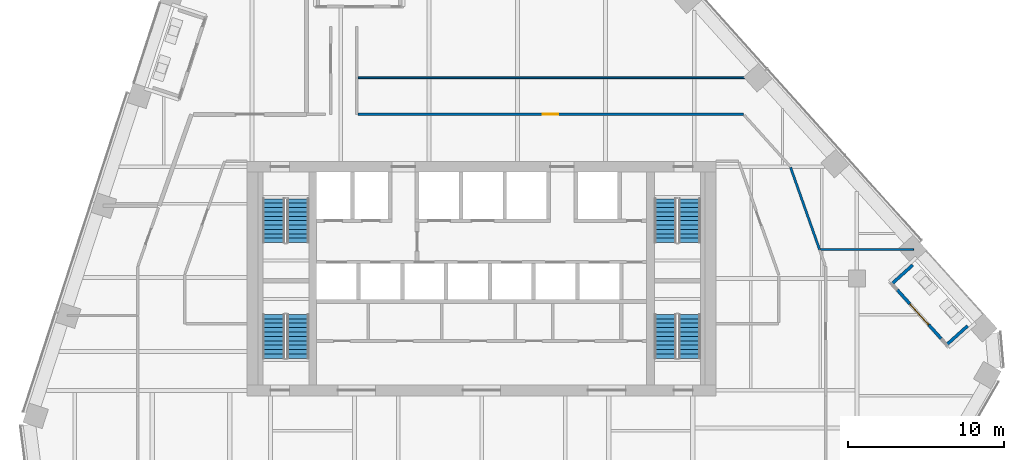
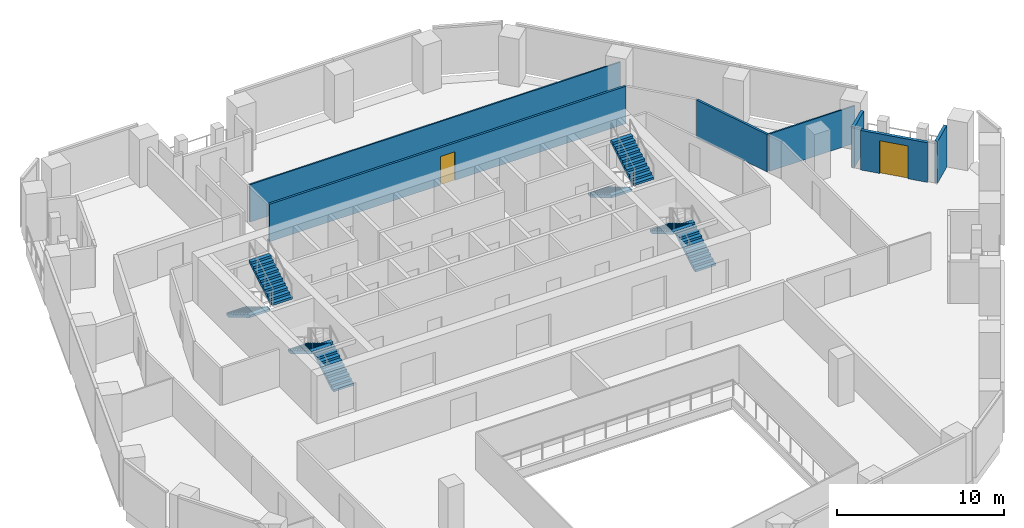
# One storey, part 22 of 26: 8 stair flights, 7 walls, 2 doors, 2 openings, 4 elements without a shape of their own.
"""IFC4 building model written with IfcOpenShell, lengths in metres."""

from ifc_helpers import new_model, si_unit, direction, frame, frame_2d, origin, place, context, subcontext, project, spatial, polyline, rectangle, outline, extrude, material, layer, layer_set, type_object, element, fill, aggregate, save


model = new_model("IFC4")

# Units and contexts
model_context = context("Model", 3, precision=1e-05, world=origin(), true_north=direction((0.0, 1.0)))
body_context = subcontext(model_context, "Body", "Model", "MODEL_VIEW")
ifc_project = project(units=[si_unit("LENGTHUNIT", "METRE"), si_unit("AREAUNIT", "SQUARE_METRE"), si_unit("VOLUMEUNIT", "CUBIC_METRE"), si_unit("PLANEANGLEUNIT", "RADIAN"), si_unit("MASSUNIT", "GRAM", prefix="KILO")], contexts=[model_context])

# Site, building, storey
site_placement = place(None, origin())
site = spatial("IfcSite", under=ifc_project, at=site_placement, CompositionType="ELEMENT")
building_placement = place(site_placement, origin())
building = spatial("IfcBuilding", under=site, at=building_placement, Name="Isthmus Gate Tower", CompositionType="ELEMENT")
storey_placement = place(building_placement, frame((0.0, 0.0, 189.050048828125)))
storey = spatial("IfcBuildingStorey", under=building, at=storey_placement, Name="L47", CompositionType="ELEMENT", Elevation=189.050048828125)

# Wall, opening, door
ifc_material_1 = material(Name="Gypsum board on steel studs, fire-rated", Category="steel")
ifc_layer_1 = layer(ifc_material_1, 0.14990234375)
ifc_layer_set_1 = layer_set([ifc_layer_1], Name="CORRIDOR WALL 150 60 MIN")
wall_type_1 = type_object("IfcWallType", Name="CORRIDOR WALL 150 60 MIN", PredefinedType="PARTITIONING", material=ifc_layer_set_1)
wall_1_placement = place(storey_placement, frame((-7.925048828125, 18.0, 0.0), z_axis=(0.0, 0.0, 1.0), x_axis=(1.0, 0.0, 0.0)))
wall_1 = element("IfcWall", 1, at=wall_1_placement, inside=storey, type_object=wall_type_1, Name="L47 Corridor Wall 150 60 Min", PredefinedType="PARTITIONING", context=body_context, shape_type="SweptSolid", body=[
    extrude(rectangle(XDim=24.670166015625, YDim=0.14990234375, at=frame_2d((12.3349609375, 0.0))), origin(), (0.0, 0.0, 1.0), 2.7412109375),
])
opening_1_placement = place(wall_1_placement, frame((11.8349609375, 0.0, 0.0)))
opening_1 = element("IfcOpeningElement", 2, at=opening_1_placement, cuts=wall_1, Name="Opening DT-T4B-03", PredefinedType="OPENING", context=body_context, shape_type="SweptSolid", body=[
    extrude(rectangle(XDim=1.0, YDim=2.10009765625, at=frame_2d((0.5, 1.050048828125))), frame((0.0, 0.0849609375, 0.0), z_axis=(0.0, -1.0, 0.0), x_axis=(1.0, 0.0, 0.0)), (0.0, 0.0, 1.0), 0.169921875),
])
ifc_material_2 = material(Name="Solid core timber door leaf, fire-rated", Category="wood")
door_type_1 = type_object("IfcDoorType", Name="FIRE DOOR ROOM 1000 X 2100 60 MIN", OperationType="SINGLE_SWING_LEFT", PredefinedType="DOOR", material=ifc_material_2)
door_1_placement = place(opening_1_placement, origin())
door_1 = element("IfcDoor", 3, at=door_1_placement, inside=storey, type_object=door_type_1, Name="L47 room door", OperationType="SINGLE_SWING_RIGHT", OverallHeight=2.10009765625, OverallWidth=1.0, PredefinedType="DOOR", context=body_context, shape_type="SweptSolid", body=[
    extrude(rectangle(XDim=1.0, YDim=2.10009765625, at=frame_2d((0.5, 1.050048828125))), frame((0.0, 0.02490234375, 0.0), z_axis=(0.0, -1.0, 0.0), x_axis=(1.0, 0.0, 0.0)), (0.0, 0.0, 1.0), 0.050048828125),
])
fill(opening_1, door_1)

# Wall
wall_2_placement = place(storey_placement, frame((19.757080078125, 14.611328125, 0.0), z_axis=(0.0, 0.0, 1.0), x_axis=(0.332898037941, -0.942962828713, 0.0)))
element("IfcWall", 4, at=wall_2_placement, inside=storey, type_object=wall_type_1, Name="L47 Corridor Wall 150 60 Min", PredefinedType="PARTITIONING", context=body_context, shape_type="SweptSolid", body=[
    extrude(rectangle(XDim=5.572265625, YDim=0.14990234375, at=frame_2d((2.7861328125, 0.0))), origin(), (0.0, 0.0, 1.0), 2.7412109375),
])

# Wall, opening, door
ifc_material_3 = material(Name="Precast concrete C40/50", Category="concrete")
ifc_layer_2 = layer(ifc_material_3, 0.199951171875)
ifc_layer_set_2 = layer_set([ifc_layer_2], Name="LOGGIA WALL 200")
wall_type_2 = type_object("IfcWallType", Name="LOGGIA WALL 200", PredefinedType="SOLIDWALL", material=ifc_layer_set_2)
wall_3_placement = place(storey_placement, frame((29.394775390625, 3.65185546875, 0.0), z_axis=(0.0, 0.0, 1.0), x_axis=(-0.669141337337, 0.743135163121, 0.0)))
wall_3 = element("IfcWall", 5, at=wall_3_placement, inside=storey, type_object=wall_type_2, Name="LOGGIA BACK WALL", PredefinedType="SOLIDWALL", context=body_context, shape_type="SweptSolid", body=[
    extrude(rectangle(XDim=4.2001953125, YDim=0.199951171875, at=frame_2d((2.10009765625, 0.0))), origin(), (0.0, 0.0, 1.0), 2.89990234375),
])
opening_2_placement = place(wall_3_placement, frame((1.199951171875, 0.0, 0.0)))
opening_2 = element("IfcOpeningElement", 6, at=opening_2_placement, cuts=wall_3, Name="Opening DE47-05", PredefinedType="OPENING", context=body_context, shape_type="SweptSolid", body=[
    extrude(rectangle(XDim=1.800048828125, YDim=2.39990234375, at=frame_2d((0.89990234375, 1.199951171875))), frame((0.0, 0.10986328125, 0.0), z_axis=(0.0, -1.0, 0.0), x_axis=(1.0, 0.0, 0.0)), (0.0, 0.0, 1.0), 0.219970703125),
])
ifc_material_4 = material(Name="Aluminium, pale champagne anodised, laminated glass", Category="aluminium")
door_type_2 = type_object("IfcDoorType", Name="LOGGIA DOOR SLIDING 1800 X 2400", OperationType="DOUBLE_DOOR_SLIDING", PredefinedType="DOOR", material=ifc_material_4)
door_2_placement = place(opening_2_placement, origin())
door_2 = element("IfcDoor", 7, at=door_2_placement, inside=storey, type_object=door_type_2, Name="DOOR DE47-05", OperationType="SINGLE_SWING_LEFT", OverallHeight=2.39990234375, OverallWidth=1.800048828125, PredefinedType="DOOR", context=body_context, shape_type="SweptSolid", body=[
    extrude(rectangle(XDim=1.800048828125, YDim=2.39990234375, at=frame_2d((0.89990234375, 1.199951171875))), frame((0.0, 0.02490234375, 0.0), z_axis=(0.0, -1.0, 0.0), x_axis=(1.0, 0.0, 0.0)), (0.0, 0.0, 1.0), 0.050048828125),
])
fill(opening_2, door_2)

# Walls
wall_4_placement = place(storey_placement, frame((31.08056640625, 4.4697265625, 0.0), z_axis=(0.0, 0.0, 1.0), x_axis=(-0.743089972274, -0.669191521992, 0.0)))
element("IfcWall", 8, at=wall_4_placement, inside=storey, type_object=wall_type_2, Name="LOGGIA SIDE WALL", PredefinedType="SOLIDWALL", context=body_context, shape_type="SweptSolid", body=[
    extrude(rectangle(XDim=1.783935546875, YDim=0.199951171875, at=frame_2d((0.89208984375, 0.0))), origin(), (0.0, 0.0, 1.0), 3.050048828125),
])
wall_5_placement = place(storey_placement, frame((27.57373046875, 8.3642578125, 0.0), z_axis=(0.0, 0.0, 1.0), x_axis=(-0.743158025489, -0.66911594597, 0.0)))
element("IfcWall", 9, at=wall_5_placement, inside=storey, type_object=wall_type_2, Name="LOGGIA SIDE WALL", PredefinedType="SOLIDWALL", context=body_context, shape_type="SweptSolid", body=[
    extrude(rectangle(XDim=1.783935546875, YDim=0.199951171875, at=frame_2d((0.89208984375, 0.0))), origin(), (0.0, 0.0, 1.0), 2.966552734375),
])
ifc_material_5 = material(Name="Gypsum board on steel studs, fire-rated", Category="steel")
ifc_layer_3 = layer(ifc_material_5, 0.10009765625)
ifc_layer_set_3 = layer_set([ifc_layer_3], Name="ROOM PARTITION 100 30 MIN")
wall_type_3 = type_object("IfcWallType", Name="ROOM PARTITION 100 30 MIN", PredefinedType="PARTITIONING", material=ifc_layer_set_3)
wall_6_placement = place(storey_placement, frame((-7.925048828125, 20.341064453125, 0.0), z_axis=(0.0, 0.0, 1.0), x_axis=(1.0, 0.0, 0.0)))
element("IfcWall", 10, at=wall_6_placement, inside=storey, type_object=wall_type_3, Name="L47 Room Partition 100 30 Min", PredefinedType="PARTITIONING", context=body_context, shape_type="SweptSolid", body=[
    extrude(rectangle(XDim=25.656005859375, YDim=0.10009765625, at=frame_2d((12.828125, 0.0))), origin(), (0.0, 0.0, 1.0), 2.7412109375),
])
wall_7_placement = place(storey_placement, frame((21.68701171875, 9.35693359375, 0.0), z_axis=(0.0, 0.0, 1.0), x_axis=(1.0, 0.0, 0.0)))
element("IfcWall", 11, at=wall_7_placement, inside=storey, type_object=wall_type_3, Name="L47 Room Partition 100 30 Min", PredefinedType="PARTITIONING", context=body_context, shape_type="SweptSolid", body=[
    extrude(rectangle(XDim=5.93505859375, YDim=0.10009765625, at=frame_2d((2.967529296875, 0.0))), origin(), (0.0, 0.0, 1.0), 2.7412109375),
])

# Stair, stair flights
ifc_material_6 = material(Name="Concrete f'c 40 MPa", Category="concrete")
stair_type = type_object("IfcStairType", Name="CORE STAIR 22 RISERS", PredefinedType="HALF_TURN_STAIR", material=ifc_material_6)
stair_1_placement = place(storey_placement, origin())
stair_1 = element("IfcStair", 12, at=stair_1_placement, inside=storey, type_object=stair_type, Name="L47 Exit Stair 1", PredefinedType="HALF_TURN_STAIR")
ifc_material_7 = material(Name="Concrete f'c 40 MPa", Category="concrete")
stair_flight_type = type_object("IfcStairFlightType", Name="STAIR FLIGHT RC 1400", PredefinedType="STRAIGHT", material=ifc_material_7)
stair_flight_1_placement = place(storey_placement, frame((-13.300048828125, 12.60009765625, 0.0), z_axis=(0.0, 0.0, 1.0), x_axis=(0.0, -1.0, 0.0)))
stair_flight_1 = element("IfcStairFlight", 13, at=stair_flight_1_placement, type_object=stair_flight_type, Name="ST1 flight 1", NumberOfRisers=11, NumberOfTreads=10, PredefinedType="STRAIGHT", RiserHeight=0.165909091, TreadLength=0.28, context=body_context, shape_type="SweptSolid", body=[
    extrude(outline(polyline([(0.0, 0.0), (0.0, 0.166015625), (0.280029296875, 0.166015625), (0.280029296875, 0.331787109375), (0.56005859375, 0.331787109375), (0.56005859375, 0.497802734375), (0.840087890625, 0.497802734375), (0.840087890625, 0.66357421875), (1.1201171875, 0.66357421875), (1.1201171875, 0.82958984375), (1.39990234375, 0.82958984375), (1.39990234375, 0.995361328125), (1.679931640625, 0.995361328125), (1.679931640625, 1.161376953125), (1.9599609375, 1.161376953125), (1.9599609375, 1.327392578125), (2.239990234375, 1.327392578125), (2.239990234375, 1.4931640625), (2.52001953125, 1.4931640625), (2.52001953125, 1.6591796875), (2.800048828125, 1.6591796875), (2.800048828125, 1.824951171875), (2.800048828125, 1.48486328125), (0.2939453125, 0.0), (0.0, 0.0)])), frame((0.0, 0.699951171875, 0.0), z_axis=(0.0, -1.0, 0.0), x_axis=(1.0, 0.0, 0.0)), (0.0, 0.0, 1.0), 1.39990234375),
])
stair_flight_2_placement = place(storey_placement, frame((-11.75, 9.800048828125, 1.824951171875), z_axis=(0.0, 0.0, 1.0), x_axis=(0.0, 1.0, 0.0)))
stair_flight_2 = element("IfcStairFlight", 14, at=stair_flight_2_placement, type_object=stair_flight_type, Name="ST1 flight 2", NumberOfRisers=11, NumberOfTreads=10, PredefinedType="STRAIGHT", RiserHeight=0.165909091, TreadLength=0.28, context=body_context, shape_type="SweptSolid", body=[
    extrude(outline(polyline([(0.0, 0.0), (0.0, 0.166015625), (0.280029296875, 0.166015625), (0.280029296875, 0.331787109375), (0.56005859375, 0.331787109375), (0.56005859375, 0.497802734375), (0.840087890625, 0.497802734375), (0.840087890625, 0.66357421875), (1.1201171875, 0.66357421875), (1.1201171875, 0.82958984375), (1.39990234375, 0.82958984375), (1.39990234375, 0.995361328125), (1.679931640625, 0.995361328125), (1.679931640625, 1.161376953125), (1.9599609375, 1.161376953125), (1.9599609375, 1.327392578125), (2.239990234375, 1.327392578125), (2.239990234375, 1.4931640625), (2.52001953125, 1.4931640625), (2.52001953125, 1.6591796875), (2.800048828125, 1.6591796875), (2.800048828125, 1.824951171875), (2.800048828125, 1.48486328125), (0.2939453125, 0.0), (0.0, 0.0)])), frame((0.0, 0.699951171875, 0.0), z_axis=(0.0, -1.0, 0.0), x_axis=(1.0, 0.0, 0.0)), (0.0, 0.0, 1.0), 1.39990234375),
])
aggregate(stair_1, [stair_flight_1, stair_flight_2])

stair_2_placement = place(storey_placement, origin())
stair_2 = element("IfcStair", 15, at=stair_2_placement, inside=storey, type_object=stair_type, Name="L47 Exit Stair 2", PredefinedType="HALF_TURN_STAIR")
stair_flight_3_placement = place(storey_placement, frame((11.75, 12.60009765625, 0.0), z_axis=(0.0, 0.0, 1.0), x_axis=(0.0, -1.0, 0.0)))
stair_flight_3 = element("IfcStairFlight", 16, at=stair_flight_3_placement, type_object=stair_flight_type, Name="ST2 flight 1", NumberOfRisers=11, NumberOfTreads=10, PredefinedType="STRAIGHT", RiserHeight=0.165909091, TreadLength=0.28, context=body_context, shape_type="SweptSolid", body=[
    extrude(outline(polyline([(0.0, 0.0), (0.0, 0.166015625), (0.280029296875, 0.166015625), (0.280029296875, 0.331787109375), (0.56005859375, 0.331787109375), (0.56005859375, 0.497802734375), (0.840087890625, 0.497802734375), (0.840087890625, 0.66357421875), (1.1201171875, 0.66357421875), (1.1201171875, 0.82958984375), (1.39990234375, 0.82958984375), (1.39990234375, 0.995361328125), (1.679931640625, 0.995361328125), (1.679931640625, 1.161376953125), (1.9599609375, 1.161376953125), (1.9599609375, 1.327392578125), (2.239990234375, 1.327392578125), (2.239990234375, 1.4931640625), (2.52001953125, 1.4931640625), (2.52001953125, 1.6591796875), (2.800048828125, 1.6591796875), (2.800048828125, 1.824951171875), (2.800048828125, 1.48486328125), (0.2939453125, 0.0), (0.0, 0.0)])), frame((0.0, 0.699951171875, 0.0), z_axis=(0.0, -1.0, 0.0), x_axis=(1.0, 0.0, 0.0)), (0.0, 0.0, 1.0), 1.39990234375),
])
stair_flight_4_placement = place(storey_placement, frame((13.300048828125, 9.800048828125, 1.824951171875), z_axis=(0.0, 0.0, 1.0), x_axis=(0.0, 1.0, 0.0)))
stair_flight_4 = element("IfcStairFlight", 17, at=stair_flight_4_placement, type_object=stair_flight_type, Name="ST2 flight 2", NumberOfRisers=11, NumberOfTreads=10, PredefinedType="STRAIGHT", RiserHeight=0.165909091, TreadLength=0.28, context=body_context, shape_type="SweptSolid", body=[
    extrude(outline(polyline([(0.0, 0.0), (0.0, 0.166015625), (0.280029296875, 0.166015625), (0.280029296875, 0.331787109375), (0.56005859375, 0.331787109375), (0.56005859375, 0.497802734375), (0.840087890625, 0.497802734375), (0.840087890625, 0.66357421875), (1.1201171875, 0.66357421875), (1.1201171875, 0.82958984375), (1.39990234375, 0.82958984375), (1.39990234375, 0.995361328125), (1.679931640625, 0.995361328125), (1.679931640625, 1.161376953125), (1.9599609375, 1.161376953125), (1.9599609375, 1.327392578125), (2.239990234375, 1.327392578125), (2.239990234375, 1.4931640625), (2.52001953125, 1.4931640625), (2.52001953125, 1.6591796875), (2.800048828125, 1.6591796875), (2.800048828125, 1.824951171875), (2.800048828125, 1.48486328125), (0.2939453125, 0.0), (0.0, 0.0)])), frame((0.0, 0.699951171875, 0.0), z_axis=(0.0, -1.0, 0.0), x_axis=(1.0, 0.0, 0.0)), (0.0, 0.0, 1.0), 1.39990234375),
])
aggregate(stair_2, [stair_flight_3, stair_flight_4])

stair_3_placement = place(storey_placement, origin())
stair_3 = element("IfcStair", 18, at=stair_3_placement, inside=storey, type_object=stair_type, Name="L47 Exit Stair 7", PredefinedType="HALF_TURN_STAIR")
stair_flight_5_placement = place(storey_placement, frame((-11.75, 2.39990234375, 0.0), z_axis=(0.0, 0.0, 1.0), x_axis=(0.0, 1.0, 0.0)))
stair_flight_5 = element("IfcStairFlight", 19, at=stair_flight_5_placement, type_object=stair_flight_type, Name="ST7 flight 1", NumberOfRisers=11, NumberOfTreads=10, PredefinedType="STRAIGHT", RiserHeight=0.165909091, TreadLength=0.28, context=body_context, shape_type="SweptSolid", body=[
    extrude(outline(polyline([(0.0, 0.0), (0.0, 0.166015625), (0.280029296875, 0.166015625), (0.280029296875, 0.331787109375), (0.56005859375, 0.331787109375), (0.56005859375, 0.497802734375), (0.840087890625, 0.497802734375), (0.840087890625, 0.66357421875), (1.1201171875, 0.66357421875), (1.1201171875, 0.82958984375), (1.39990234375, 0.82958984375), (1.39990234375, 0.995361328125), (1.679931640625, 0.995361328125), (1.679931640625, 1.161376953125), (1.9599609375, 1.161376953125), (1.9599609375, 1.327392578125), (2.239990234375, 1.327392578125), (2.239990234375, 1.4931640625), (2.52001953125, 1.4931640625), (2.52001953125, 1.6591796875), (2.800048828125, 1.6591796875), (2.800048828125, 1.824951171875), (2.800048828125, 1.48486328125), (0.2939453125, 0.0), (0.0, 0.0)])), frame((0.0, 0.699951171875, 0.0), z_axis=(0.0, -1.0, 0.0), x_axis=(1.0, 0.0, 0.0)), (0.0, 0.0, 1.0), 1.39990234375),
])
stair_flight_6_placement = place(storey_placement, frame((-13.300048828125, 5.199951171875, 1.824951171875), z_axis=(0.0, 0.0, 1.0), x_axis=(0.0, -1.0, 0.0)))
stair_flight_6 = element("IfcStairFlight", 20, at=stair_flight_6_placement, type_object=stair_flight_type, Name="ST7 flight 2", NumberOfRisers=11, NumberOfTreads=10, PredefinedType="STRAIGHT", RiserHeight=0.165909091, TreadLength=0.28, context=body_context, shape_type="SweptSolid", body=[
    extrude(outline(polyline([(0.0, 0.0), (0.0, 0.166015625), (0.280029296875, 0.166015625), (0.280029296875, 0.331787109375), (0.56005859375, 0.331787109375), (0.56005859375, 0.497802734375), (0.840087890625, 0.497802734375), (0.840087890625, 0.66357421875), (1.1201171875, 0.66357421875), (1.1201171875, 0.82958984375), (1.39990234375, 0.82958984375), (1.39990234375, 0.995361328125), (1.679931640625, 0.995361328125), (1.679931640625, 1.161376953125), (1.9599609375, 1.161376953125), (1.9599609375, 1.327392578125), (2.239990234375, 1.327392578125), (2.239990234375, 1.4931640625), (2.52001953125, 1.4931640625), (2.52001953125, 1.6591796875), (2.800048828125, 1.6591796875), (2.800048828125, 1.824951171875), (2.800048828125, 1.48486328125), (0.2939453125, 0.0), (0.0, 0.0)])), frame((0.0, 0.699951171875, 0.0), z_axis=(0.0, -1.0, 0.0), x_axis=(1.0, 0.0, 0.0)), (0.0, 0.0, 1.0), 1.39990234375),
])
aggregate(stair_3, [stair_flight_5, stair_flight_6])

stair_4_placement = place(storey_placement, origin())
stair_4 = element("IfcStair", 21, at=stair_4_placement, inside=storey, type_object=stair_type, Name="L47 Exit Stair 8", PredefinedType="HALF_TURN_STAIR")
stair_flight_7_placement = place(storey_placement, frame((13.300048828125, 2.39990234375, 0.0), z_axis=(0.0, 0.0, 1.0), x_axis=(0.0, 1.0, 0.0)))
stair_flight_7 = element("IfcStairFlight", 22, at=stair_flight_7_placement, type_object=stair_flight_type, Name="ST8 flight 1", NumberOfRisers=11, NumberOfTreads=10, PredefinedType="STRAIGHT", RiserHeight=0.165909091, TreadLength=0.28, context=body_context, shape_type="SweptSolid", body=[
    extrude(outline(polyline([(0.0, 0.0), (0.0, 0.166015625), (0.280029296875, 0.166015625), (0.280029296875, 0.331787109375), (0.56005859375, 0.331787109375), (0.56005859375, 0.497802734375), (0.840087890625, 0.497802734375), (0.840087890625, 0.66357421875), (1.1201171875, 0.66357421875), (1.1201171875, 0.82958984375), (1.39990234375, 0.82958984375), (1.39990234375, 0.995361328125), (1.679931640625, 0.995361328125), (1.679931640625, 1.161376953125), (1.9599609375, 1.161376953125), (1.9599609375, 1.327392578125), (2.239990234375, 1.327392578125), (2.239990234375, 1.4931640625), (2.52001953125, 1.4931640625), (2.52001953125, 1.6591796875), (2.800048828125, 1.6591796875), (2.800048828125, 1.824951171875), (2.800048828125, 1.48486328125), (0.2939453125, 0.0), (0.0, 0.0)])), frame((0.0, 0.699951171875, 0.0), z_axis=(0.0, -1.0, 0.0), x_axis=(1.0, 0.0, 0.0)), (0.0, 0.0, 1.0), 1.39990234375),
])
stair_flight_8_placement = place(storey_placement, frame((11.75, 5.199951171875, 1.824951171875), z_axis=(0.0, 0.0, 1.0), x_axis=(0.0, -1.0, 0.0)))
stair_flight_8 = element("IfcStairFlight", 23, at=stair_flight_8_placement, type_object=stair_flight_type, Name="ST8 flight 2", NumberOfRisers=11, NumberOfTreads=10, PredefinedType="STRAIGHT", RiserHeight=0.165909091, TreadLength=0.28, context=body_context, shape_type="SweptSolid", body=[
    extrude(outline(polyline([(0.0, 0.0), (0.0, 0.166015625), (0.280029296875, 0.166015625), (0.280029296875, 0.331787109375), (0.56005859375, 0.331787109375), (0.56005859375, 0.497802734375), (0.840087890625, 0.497802734375), (0.840087890625, 0.66357421875), (1.1201171875, 0.66357421875), (1.1201171875, 0.82958984375), (1.39990234375, 0.82958984375), (1.39990234375, 0.995361328125), (1.679931640625, 0.995361328125), (1.679931640625, 1.161376953125), (1.9599609375, 1.161376953125), (1.9599609375, 1.327392578125), (2.239990234375, 1.327392578125), (2.239990234375, 1.4931640625), (2.52001953125, 1.4931640625), (2.52001953125, 1.6591796875), (2.800048828125, 1.6591796875), (2.800048828125, 1.824951171875), (2.800048828125, 1.48486328125), (0.2939453125, 0.0), (0.0, 0.0)])), frame((0.0, 0.699951171875, 0.0), z_axis=(0.0, -1.0, 0.0), x_axis=(1.0, 0.0, 0.0)), (0.0, 0.0, 1.0), 1.39990234375),
])
aggregate(stair_4, [stair_flight_7, stair_flight_8])

save(model, "model.ifc")
